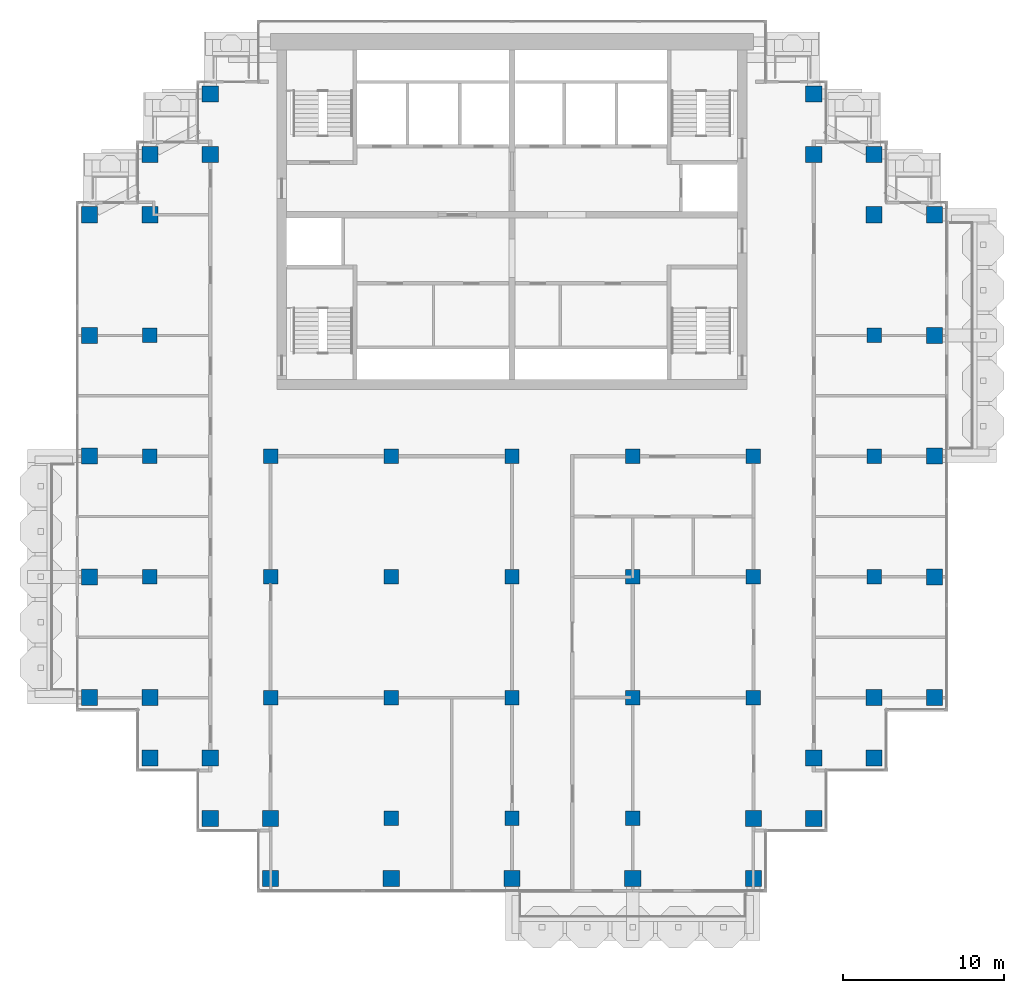
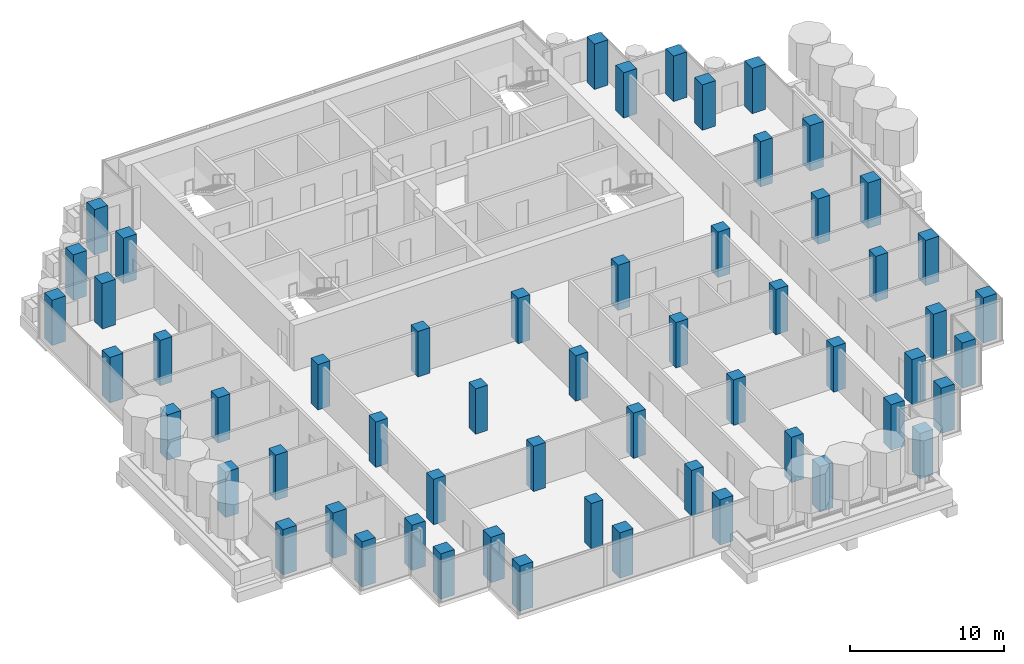
# One storey, part 1 of 19: 57 columns.
"""IFC4 building model written with IfcOpenShell, lengths in metres."""

from ifc_helpers import new_model, si_unit, direction, frame, origin, origin_2d, place, context, subcontext, project, spatial, rectangle, extrude, material, material_profile, profile_set, type_object, element, save


model = new_model("IFC4")

# Units and contexts
model_context = context("Model", 3, precision=1e-05, world=origin(), true_north=direction((0.0, 1.0)))
body_context = subcontext(model_context, "Body", "Model", "MODEL_VIEW")
ifc_project = project(units=[si_unit("LENGTHUNIT", "METRE"), si_unit("AREAUNIT", "SQUARE_METRE"), si_unit("VOLUMEUNIT", "CUBIC_METRE"), si_unit("PLANEANGLEUNIT", "RADIAN"), si_unit("MASSUNIT", "GRAM", prefix="KILO")], contexts=[model_context])

# Site, building, storey
site_placement = place(None, origin())
site = spatial("IfcSite", under=ifc_project, at=site_placement, CompositionType="ELEMENT")
building_placement = place(site_placement, origin())
building = spatial("IfcBuilding", under=site, at=building_placement, Name="Pilkhan Gate Tower", CompositionType="ELEMENT")
storey_placement = place(building_placement, frame((0.0, 0.0, 217.5)))
storey = spatial("IfcBuildingStorey", under=building, at=storey_placement, Name="L56", CompositionType="ELEMENT", Elevation=217.5)

# Columns
ifc_material = material(Name="Concrete C50/60", Category="concrete")
ifc_material_profile_1 = material_profile(ifc_material, rectangle(XDim=1.0, YDim=1.0, at=origin_2d()), Name="RC 1000x1000")
ifc_profile_set_1 = profile_set([ifc_material_profile_1], Name="Concrete C50/60")
column_type_1 = type_object("IfcColumnType", Name="Column C100 RC 1000x1000 C50/60", PredefinedType="COLUMN", material=ifc_profile_set_1)
for number, where, z_axis, x_axis, name in (
    (1, (48.75, 52.5, 0.0), (0.0, 0.0, 1.0), (1.0, 0.0, 0.0), "Column 4/D L56"),
    (2, (48.75, 60.0, 0.0), (0.0, 0.0, 1.0), (1.0, 0.0, 0.0), "Column 4/F L56"),
    (3, (48.75, 67.5, 0.0), (0.0, 0.0, 1.0), (1.0, 0.0, 0.0), "Column 4/H L56"),
    (4, (48.75, 75.0, 0.0), (0.0, 0.0, 1.0), (1.0, 0.0, 0.0), "Column 4/K L56"),
    (5, (48.75, 82.5, 0.0), (0.0, 0.0, 1.0), (1.0, 0.0, 0.0), "Column 4/M L56"),
    (6, (52.5, 48.75, 0.0), (0.0, 0.0, 1.0), (1.0, 0.0, 0.0), "Column 5/C L56"),
    (7, (52.5, 52.5, 0.0), (0.0, 0.0, 1.0), (1.0, 0.0, 0.0), "Column 5/D L56"),
    (8, (52.5, 82.5, 0.0), (0.0, 0.0, 1.0), (1.0, 0.0, 0.0), "Column 5/M L56"),
    (9, (52.5, 86.25, 0.0), (0.0, 0.0, 1.0), (1.0, 0.0, 0.0), "Column 5/N L56"),
    (10, (56.25, 45.0, 0.0), (0.0, 0.0, 1.0), (1.0, 0.0, 0.0), "Column 6/B L56"),
    (11, (56.25, 48.75, 0.0), (0.0, 0.0, 1.0), (1.0, 0.0, 0.0), "Column 6/C L56"),
    (12, (56.25, 86.25, 0.0), (0.0, 0.0, 1.0), (1.0, 0.0, 0.0), "Column 6/N L56"),
    (13, (56.25, 90.0, 0.0), (0.0, 0.0, 1.0), (1.0, 0.0, 0.0), "Column 6/P L56"),
    (14, (60.0, 41.25, 0.0), (0.0, 0.0, 1.0), (1.0, 0.0, 0.0), "Column 7/A L56"),
    (15, (60.0, 45.0, 0.0), (0.0, 0.0, 1.0), (1.0, 0.0, 0.0), "Column 7/B L56"),
    (16, (67.5, 41.25, 0.0), (0.0, 0.0, 1.0), (1.0, 0.0, 0.0), "Column 9/A L56"),
    (17, (75.0, 41.25, 0.0), (0.0, 0.0, 1.0), (1.0, 0.0, 0.0), "Column 11/A L56"),
    (18, (82.5, 41.25, 0.0), (0.0, 0.0, 1.0), (1.0, 0.0, 0.0), "Column 13/A L56"),
    (19, (90.0, 41.25, 0.0), (0.0, 0.0, 1.0), (1.0, 0.0, 0.0), "Column 15/A L56"),
    (20, (90.0, 45.0, 0.0), (0.0, 0.0, 1.0), (1.0, 0.0, 0.0), "Column 15/B L56"),
    (21, (93.75, 45.0, 0.0), (0.0, 0.0, 1.0), (1.0, 0.0, 0.0), "Column 16/B L56"),
    (22, (93.75, 48.75, 0.0), (0.0, 0.0, 1.0), (1.0, 0.0, 0.0), "Column 16/C L56"),
    (23, (93.75, 86.25, 0.0), (0.0, 0.0, 1.0), (1.0, 0.0, 0.0), "Column 16/N L56"),
    (24, (93.75, 90.0, 0.0), (0.0, 0.0, 1.0), (1.0, 0.0, 0.0), "Column 16/P L56"),
    (25, (97.5, 48.75, 0.0), (0.0, 0.0, 1.0), (1.0, 0.0, 0.0), "Column 17/C L56"),
    (26, (97.5, 52.5, 0.0), (0.0, 0.0, 1.0), (1.0, 0.0, 0.0), "Column 17/D L56"),
    (27, (97.5, 82.5, 0.0), (0.0, 0.0, 1.0), (1.0, 0.0, 0.0), "Column 17/M L56"),
    (28, (97.5, 86.25, 0.0), (0.0, 0.0, 1.0), (1.0, 0.0, 0.0), "Column 17/N L56"),
    (29, (101.25, 52.5, 0.0), (0.0, 0.0, 1.0), (1.0, 0.0, 0.0), "Column 18/D L56"),
    (30, (101.25, 60.0, 0.0), (0.0, 0.0, 1.0), (1.0, 0.0, 0.0), "Column 18/F L56"),
    (31, (101.25, 67.5, 0.0), (0.0, 0.0, 1.0), (1.0, 0.0, 0.0), "Column 18/H L56"),
    (32, (101.25, 75.0, 0.0), (0.0, 0.0, 1.0), (1.0, 0.0, 0.0), "Column 18/K L56"),
    (33, (101.25, 82.5, 0.0), (0.0, 0.0, 1.0), (1.0, 0.0, 0.0), "Column 18/M L56"),
):
    element("IfcColumn", number, at=place(storey_placement, frame(where, z_axis=z_axis, x_axis=x_axis)), inside=storey, type_object=column_type_1, Name=name, PredefinedType="COLUMN", context=body_context, shape_type="SweptSolid", body=[
        extrude(rectangle(XDim=1.0, YDim=1.0, at=origin_2d()), origin(), (0.0, 0.0, 1.0), 3.60009765625),
    ])
ifc_material_profile_2 = material_profile(ifc_material, rectangle(XDim=0.89990234375, YDim=0.89990234375, at=origin_2d()), Name="RC 900x900")
ifc_profile_set_2 = profile_set([ifc_material_profile_2], Name="Concrete C50/60")
column_type_2 = type_object("IfcColumnType", Name="Column C90 RC 900x900 C50/60", PredefinedType="COLUMN", material=ifc_profile_set_2)
for number, where, z_axis, x_axis, name in (
    (34, (52.5, 60.0, 0.0), (0.0, 0.0, 1.0), (1.0, 0.0, 0.0), "Column 5/F L56"),
    (35, (52.5, 67.5, 0.0), (0.0, 0.0, 1.0), (1.0, 0.0, 0.0), "Column 5/H L56"),
    (36, (52.5, 75.0, 0.0), (0.0, 0.0, 1.0), (1.0, 0.0, 0.0), "Column 5/K L56"),
    (37, (60.0, 52.5, 0.0), (0.0, 0.0, 1.0), (1.0, 0.0, 0.0), "Column 7/D L56"),
    (38, (60.0, 60.0, 0.0), (0.0, 0.0, 1.0), (1.0, 0.0, 0.0), "Column 7/F L56"),
    (39, (60.0, 67.5, 0.0), (0.0, 0.0, 1.0), (1.0, 0.0, 0.0), "Column 7/H L56"),
    (40, (67.5, 45.0, 0.0), (0.0, 0.0, 1.0), (1.0, 0.0, 0.0), "Column 9/B L56"),
    (41, (67.5, 52.5, 0.0), (0.0, 0.0, 1.0), (1.0, 0.0, 0.0), "Column 9/D L56"),
    (42, (67.5, 60.0, 0.0), (0.0, 0.0, 1.0), (1.0, 0.0, 0.0), "Column 9/F L56"),
    (43, (67.5, 67.5, 0.0), (0.0, 0.0, 1.0), (1.0, 0.0, 0.0), "Column 9/H L56"),
    (44, (75.0, 45.0, 0.0), (0.0, 0.0, 1.0), (1.0, 0.0, 0.0), "Column 11/B L56"),
    (45, (75.0, 52.5, 0.0), (0.0, 0.0, 1.0), (1.0, 0.0, 0.0), "Column 11/D L56"),
    (46, (75.0, 60.0, 0.0), (0.0, 0.0, 1.0), (1.0, 0.0, 0.0), "Column 11/F L56"),
    (47, (75.0, 67.5, 0.0), (0.0, 0.0, 1.0), (1.0, 0.0, 0.0), "Column 11/H L56"),
    (48, (82.5, 45.0, 0.0), (0.0, 0.0, 1.0), (1.0, 0.0, 0.0), "Column 13/B L56"),
    (49, (82.5, 52.5, 0.0), (0.0, 0.0, 1.0), (1.0, 0.0, 0.0), "Column 13/D L56"),
    (50, (82.5, 60.0, 0.0), (0.0, 0.0, 1.0), (1.0, 0.0, 0.0), "Column 13/F L56"),
    (51, (82.5, 67.5, 0.0), (0.0, 0.0, 1.0), (1.0, 0.0, 0.0), "Column 13/H L56"),
    (52, (90.0, 52.5, 0.0), (0.0, 0.0, 1.0), (1.0, 0.0, 0.0), "Column 15/D L56"),
    (53, (90.0, 60.0, 0.0), (0.0, 0.0, 1.0), (1.0, 0.0, 0.0), "Column 15/F L56"),
    (54, (90.0, 67.5, 0.0), (0.0, 0.0, 1.0), (1.0, 0.0, 0.0), "Column 15/H L56"),
    (55, (97.5, 60.0, 0.0), (0.0, 0.0, 1.0), (1.0, 0.0, 0.0), "Column 17/F L56"),
    (56, (97.5, 67.5, 0.0), (0.0, 0.0, 1.0), (1.0, 0.0, 0.0), "Column 17/H L56"),
    (57, (97.5, 75.0, 0.0), (0.0, 0.0, 1.0), (1.0, 0.0, 0.0), "Column 17/K L56"),
):
    element("IfcColumn", number, at=place(storey_placement, frame(where, z_axis=z_axis, x_axis=x_axis)), inside=storey, type_object=column_type_2, Name=name, PredefinedType="COLUMN", context=body_context, shape_type="SweptSolid", body=[
        extrude(rectangle(XDim=0.89990234375, YDim=0.89990234375, at=origin_2d()), origin(), (0.0, 0.0, 1.0), 3.60009765625),
    ])

save(model, "model.ifc")
